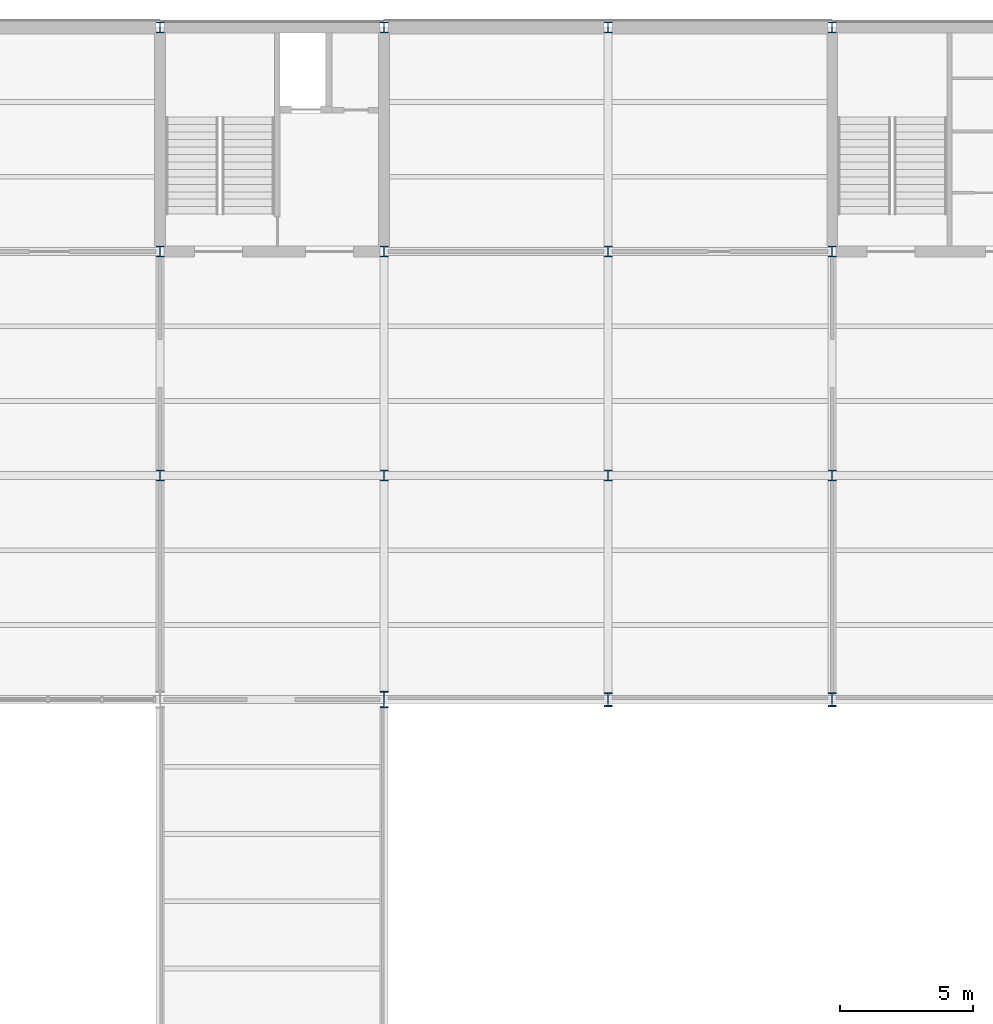
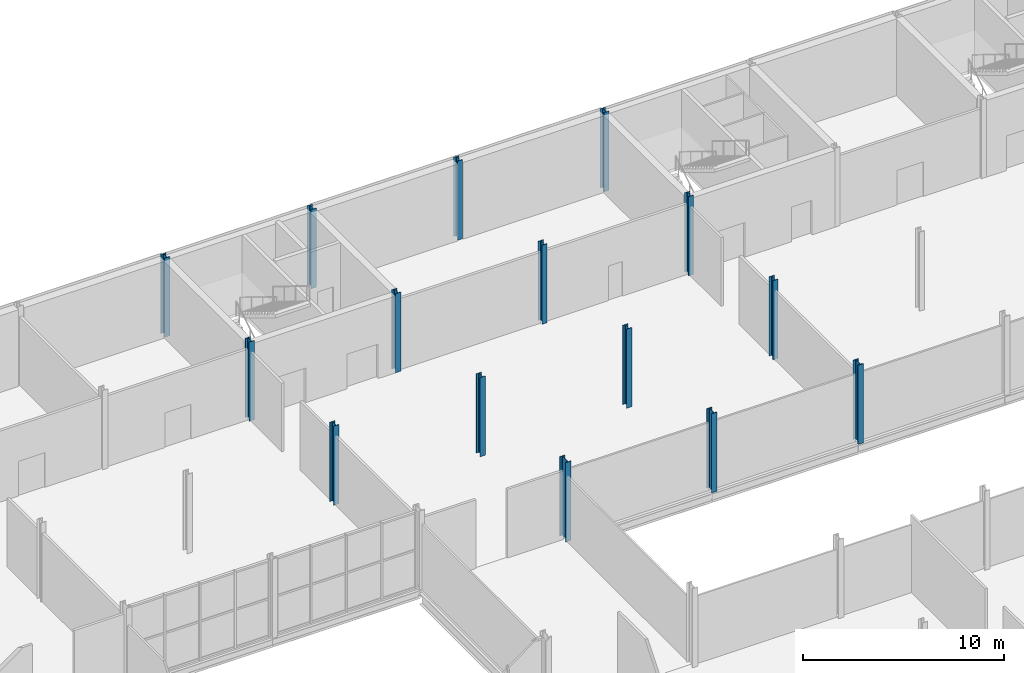
# One storey, part 4 of 57: 15 columns.
"""IFC4 building model written with IfcOpenShell, lengths in metres."""

from ifc_helpers import new_model, si_unit, direction, frame, origin, origin_2d, place, context, subcontext, project, spatial, i_section, extrude, material, material_profile, profile_set, type_object, element, save


model = new_model("IFC4")

# Units and contexts
model_context = context("Model", 3, precision=1e-05, world=origin(), true_north=direction((0.0, 1.0)))
body_context = subcontext(model_context, "Body", "Model", "MODEL_VIEW")
ifc_project = project(units=[si_unit("LENGTHUNIT", "METRE"), si_unit("AREAUNIT", "SQUARE_METRE"), si_unit("VOLUMEUNIT", "CUBIC_METRE"), si_unit("PLANEANGLEUNIT", "RADIAN"), si_unit("MASSUNIT", "GRAM", prefix="KILO")], contexts=[model_context])

# Site, building, storey
site_placement = place(None, origin())
site = spatial("IfcSite", under=ifc_project, at=site_placement, CompositionType="ELEMENT")
building_placement = place(site_placement, origin())
building = spatial("IfcBuilding", under=site, at=building_placement, Name="Galleria Vessillo Department Store", CompositionType="ELEMENT")
storey_placement = place(building_placement, frame((0.0, 0.0, 21.0)))
storey = spatial("IfcBuildingStorey", under=building, at=storey_placement, Name="L04", CompositionType="ELEMENT", Elevation=21.0)

# Columns
ifc_material_1 = material(Name="Steel S355 J2", Category="steel")
ifc_material_profile_1 = material_profile(ifc_material_1, i_section(OverallWidth=0.300048828125, OverallDepth=0.39990234375, WebThickness=0.013427734375, FlangeThickness=0.02392578125, FilletRadius=0.027099609375, at=origin_2d()), Name="HEB 400")
ifc_profile_set_1 = profile_set([ifc_material_profile_1], Name="Steel S355 J2")
column_type_1 = type_object("IfcColumnType", Name="Steel column HEB 400 CP2", PredefinedType="COLUMN", material=ifc_profile_set_1)
for number, where, z_axis, x_axis, name in (
    (1, (33.60009765625, 46.199951171875, 0.0), (0.0, 0.0, 1.0), (1.0, 0.0, 0.0), "S-COL-L04-5-F"),
    (2, (33.60009765625, 54.60009765625, 0.0), (0.0, 0.0, 1.0), (1.0, 0.0, 0.0), "S-COL-L04-5-G"),
    (3, (33.60009765625, 63.0, 0.0), (0.0, 0.0, 1.0), (1.0, 0.0, 0.0), "S-COL-L04-5-H"),
    (4, (42.0, 46.199951171875, 0.0), (0.0, 0.0, 1.0), (1.0, 0.0, 0.0), "S-COL-L04-6-F"),
    (5, (42.0, 54.60009765625, 0.0), (0.0, 0.0, 1.0), (1.0, 0.0, 0.0), "S-COL-L04-6-G"),
    (6, (42.0, 63.0, 0.0), (0.0, 0.0, 1.0), (1.0, 0.0, 0.0), "S-COL-L04-6-H"),
    (7, (50.39990234375, 46.199951171875, 0.0), (0.0, 0.0, 1.0), (1.0, 0.0, 0.0), "S-COL-L04-7-F"),
    (8, (50.39990234375, 54.60009765625, 0.0), (0.0, 0.0, 1.0), (1.0, 0.0, 0.0), "S-COL-L04-7-G"),
    (9, (50.39990234375, 63.0, 0.0), (0.0, 0.0, 1.0), (1.0, 0.0, 0.0), "S-COL-L04-7-H"),
    (10, (58.800048828125, 46.199951171875, 0.0), (0.0, 0.0, 1.0), (1.0, 0.0, 0.0), "S-COL-L04-8-F"),
    (11, (58.800048828125, 54.60009765625, 0.0), (0.0, 0.0, 1.0), (1.0, 0.0, 0.0), "S-COL-L04-8-G"),
    (12, (58.800048828125, 63.0, 0.0), (0.0, 0.0, 1.0), (1.0, 0.0, 0.0), "S-COL-L04-8-H"),
):
    element("IfcColumn", number, at=place(storey_placement, frame(where, z_axis=z_axis, x_axis=x_axis)), inside=storey, type_object=column_type_1, Name=name, PredefinedType="COLUMN", context=body_context, shape_type="SweptSolid", body=[
        extrude(i_section(OverallWidth=0.300048828125, OverallDepth=0.39990234375, WebThickness=0.013427734375, FlangeThickness=0.02392578125, FilletRadius=0.027099609375, at=origin_2d()), origin(), (0.0, 0.0, 1.0), 4.800048828125),
    ])
ifc_material_2 = material(Name="Steel S355 J2", Category="steel")
ifc_material_profile_2 = material_profile(ifc_material_2, i_section(OverallWidth=0.305908203125, OverallDepth=0.52392578125, WebThickness=0.02099609375, FlangeThickness=0.0400390625, FilletRadius=0.027099609375, at=origin_2d()), Name="HEM 500")
ifc_profile_set_2 = profile_set([ifc_material_profile_2], Name="Steel S355 J2")
column_type_2 = type_object("IfcColumnType", Name="Steel column HEM 500 CV1", PredefinedType="COLUMN", material=ifc_profile_set_2)
for number, where, z_axis, x_axis, name in (
    (13, (50.39990234375, 37.800048828125, 0.0), (0.0, 0.0, 1.0), (1.0, 0.0, 0.0), "S-COL-L04-7-E"),
    (14, (58.800048828125, 37.800048828125, 0.0), (0.0, 0.0, 1.0), (1.0, 0.0, 0.0), "S-COL-L04-8-E"),
):
    element("IfcColumn", number, at=place(storey_placement, frame(where, z_axis=z_axis, x_axis=x_axis)), inside=storey, type_object=column_type_2, Name=name, PredefinedType="COLUMN", context=body_context, shape_type="SweptSolid", body=[
        extrude(i_section(OverallWidth=0.305908203125, OverallDepth=0.52392578125, WebThickness=0.02099609375, FlangeThickness=0.0400390625, FilletRadius=0.027099609375, at=origin_2d()), origin(), (0.0, 0.0, 1.0), 4.800048828125),
    ])
ifc_material_3 = material(Name="Steel S355 J2", Category="steel")
ifc_material_profile_3 = material_profile(ifc_material_3, i_section(OverallWidth=0.304931640625, OverallDepth=0.6201171875, WebThickness=0.02099609375, FlangeThickness=0.0400390625, FilletRadius=0.027099609375, at=origin_2d()), Name="HEM 600")
ifc_profile_set_3 = profile_set([ifc_material_profile_3], Name="Steel S355 J2")
column_type_3 = type_object("IfcColumnType", Name="Steel column HEM 600 CV2", PredefinedType="COLUMN", material=ifc_profile_set_3)
column_placement = place(storey_placement, frame((42.0, 37.800048828125, 0.0), z_axis=(0.0, 0.0, 1.0), x_axis=(1.0, 0.0, 0.0)))
element("IfcColumn", 15, at=column_placement, inside=storey, type_object=column_type_3, Name="S-COL-L04-6-E", PredefinedType="COLUMN", context=body_context, shape_type="SweptSolid", body=[
    extrude(i_section(OverallWidth=0.304931640625, OverallDepth=0.6201171875, WebThickness=0.02099609375, FlangeThickness=0.0400390625, FilletRadius=0.027099609375, at=origin_2d()), origin(), (0.0, 0.0, 1.0), 4.800048828125),
])

save(model, "model.ifc")
